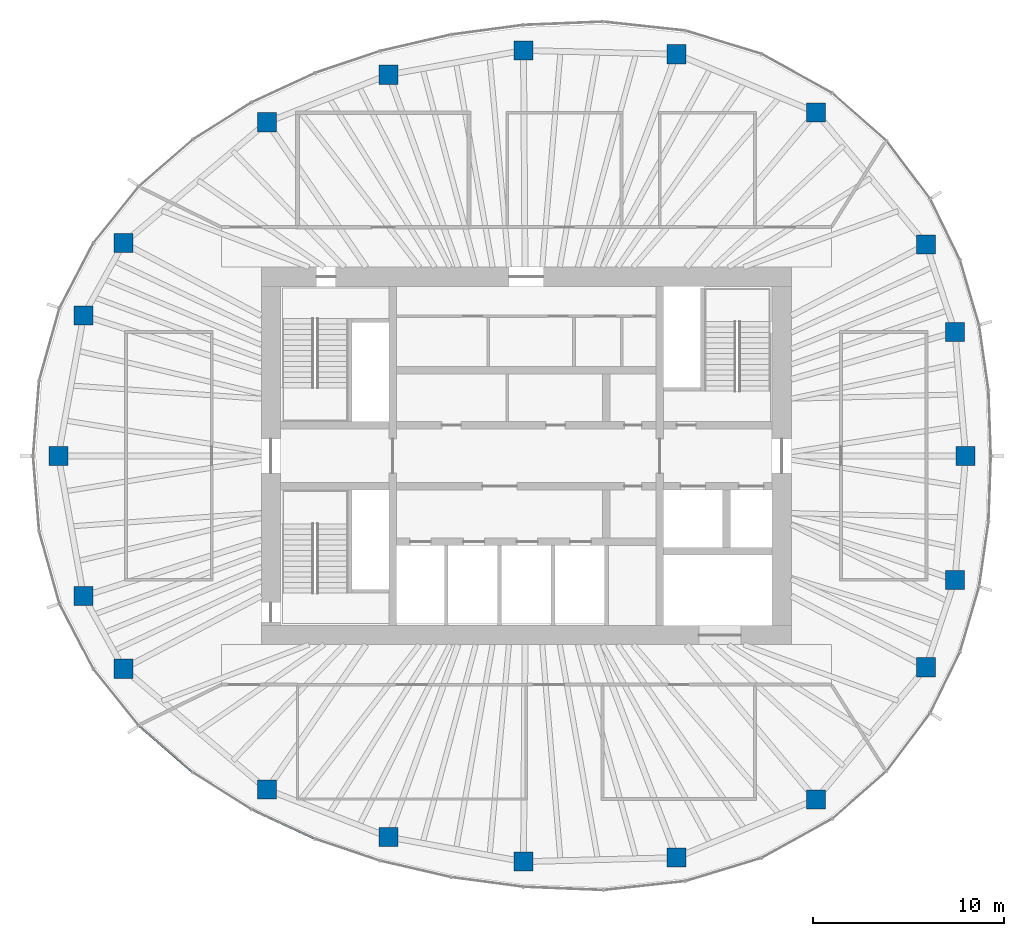
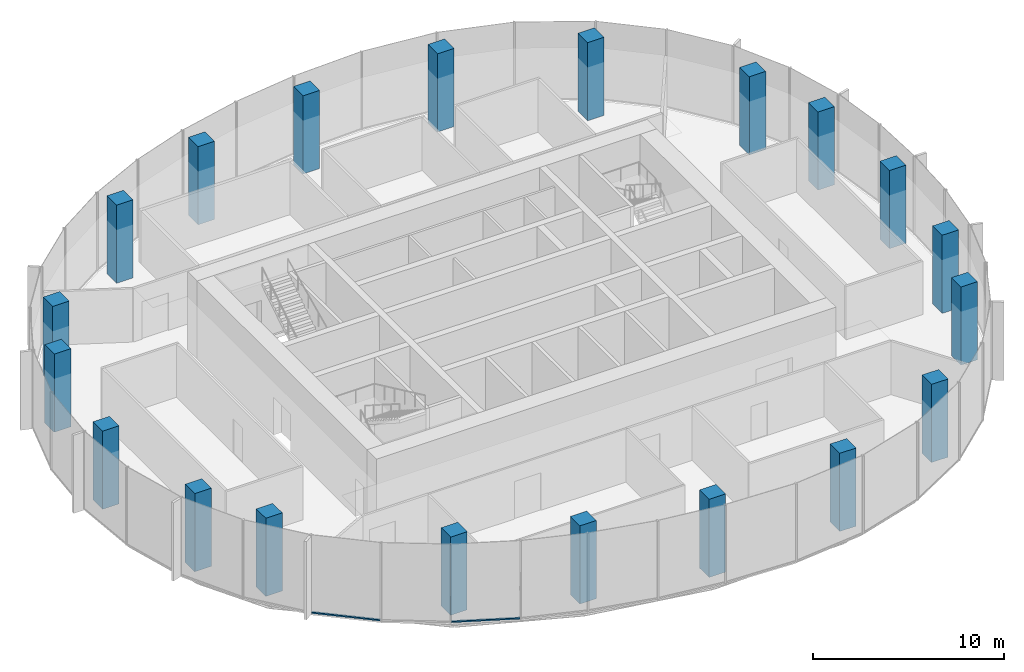
# One storey, part 1 of 11: 20 columns, 2 members, 2 elements without a shape of their own.
"""IFC4 building model written with IfcOpenShell, lengths in metres."""

from ifc_helpers import new_model, si_unit, direction, frame, origin, origin_2d, place, context, subcontext, project, spatial, rectangle, extrude, material, material_profile, profile_set, type_object, element, aggregate, save


model = new_model("IFC4")

# Units and contexts
model_context = context("Model", 3, precision=1e-05, world=origin(), true_north=direction((0.0, 1.0)))
body_context = subcontext(model_context, "Body", "Model", "MODEL_VIEW")
ifc_project = project(units=[si_unit("LENGTHUNIT", "METRE"), si_unit("AREAUNIT", "SQUARE_METRE"), si_unit("VOLUMEUNIT", "CUBIC_METRE"), si_unit("PLANEANGLEUNIT", "RADIAN"), si_unit("MASSUNIT", "GRAM", prefix="KILO")], contexts=[model_context])

# Site, building, storey
site_placement = place(None, origin())
site = spatial("IfcSite", under=ifc_project, at=site_placement, CompositionType="ELEMENT")
building_placement = place(site_placement, origin())
building = spatial("IfcBuilding", under=site, at=building_placement, Name="Ghaith Harvest Tower", CompositionType="ELEMENT")
storey_placement = place(building_placement, frame((0.0, 0.0, 334.199951171875)))
storey = spatial("IfcBuildingStorey", under=building, at=storey_placement, Name="L75", CompositionType="ELEMENT", Elevation=334.199951171875)

# Columns
ifc_material_1 = material(Name="Concrete C50/60", Category="concrete")
ifc_material_profile_1 = material_profile(ifc_material_1, rectangle(XDim=1.0, YDim=1.0, at=origin_2d()), Name="RC1000X1000")
ifc_profile_set_1 = profile_set([ifc_material_profile_1], Name="Concrete C50/60")
column_type = type_object("IfcColumnType", Name="TC8 RC1000X1000", PredefinedType="COLUMN", material=ifc_profile_set_1)
for number, where, z_axis, x_axis, name in (
    (1, (23.050048828125, 0.0, 0.0), (0.0, 0.0, 1.0), (1.0, 0.0, 0.0), "Perimeter column C01"),
    (2, (22.485107421875, 6.4990234375, 0.0), (0.0, 0.0, 1.0), (1.0, 0.0, 0.0), "Perimeter column C02"),
    (3, (20.97705078125, 11.087890625, 0.0), (0.0, 0.0, 1.0), (1.0, 0.0, 0.0), "Perimeter column C03"),
    (4, (15.197998046875, 18.02294921875, 0.0), (0.0, 0.0, 1.0), (1.0, 0.0, 0.0), "Perimeter column C04"),
    (5, (7.8779296875, 21.072021484375, 0.0), (0.0, 0.0, 1.0), (1.0, 0.0, 0.0), "Perimeter column C05"),
    (6, (-0.14599609375, 21.27099609375, 0.0), (0.0, 0.0, 1.0), (1.0, 0.0, 0.0), "Perimeter column C06"),
    (7, (-7.221923828125, 19.9970703125, 0.0), (0.0, 0.0, 1.0), (1.0, 0.0, 0.0), "Perimeter column C07"),
    (8, (-13.594970703125, 17.5048828125, 0.0), (0.0, 0.0, 1.0), (1.0, 0.0, 0.0), "Perimeter column C08"),
    (9, (-21.125, 11.166015625, 0.0), (0.0, 0.0, 1.0), (1.0, 0.0, 0.0), "Perimeter column C09"),
    (10, (-23.22412109375, 7.360107421875, 0.0), (0.0, 0.0, 1.0), (1.0, 0.0, 0.0), "Perimeter column C10"),
    (11, (-24.550048828125, 0.0, 0.0), (0.0, 0.0, 1.0), (1.0, 0.0, 0.0), "Perimeter column C11"),
    (12, (-23.22412109375, -7.360107421875, 0.0), (0.0, 0.0, 1.0), (1.0, 0.0, 0.0), "Perimeter column C12"),
    (13, (-21.125, -11.166015625, 0.0), (0.0, 0.0, 1.0), (1.0, 0.0, 0.0), "Perimeter column C13"),
    (14, (-13.594970703125, -17.5048828125, 0.0), (0.0, 0.0, 1.0), (1.0, 0.0, 0.0), "Perimeter column C14"),
    (15, (-7.221923828125, -19.9970703125, 0.0), (0.0, 0.0, 1.0), (1.0, 0.0, 0.0), "Perimeter column C15"),
    (16, (-0.14599609375, -21.285888671875, 0.0), (0.0, 0.0, 1.0), (1.0, 0.0, 0.0), "Perimeter column C16"),
    (17, (7.8779296875, -21.072021484375, 0.0), (0.0, 0.0, 1.0), (1.0, 0.0, 0.0), "Perimeter column C17"),
    (18, (15.197998046875, -18.02294921875, 0.0), (0.0, 0.0, 1.0), (1.0, 0.0, 0.0), "Perimeter column C18"),
    (19, (20.97705078125, -11.087890625, 0.0), (0.0, 0.0, 1.0), (1.0, 0.0, 0.0), "Perimeter column C19"),
    (20, (22.485107421875, -6.4990234375, 0.0), (0.0, 0.0, 1.0), (1.0, 0.0, 0.0), "Perimeter column C20"),
):
    element("IfcColumn", number, at=place(storey_placement, frame(where, z_axis=z_axis, x_axis=x_axis)), inside=storey, type_object=column_type, Name=name, PredefinedType="COLUMN", context=body_context, shape_type="SweptSolid", body=[
        extrude(rectangle(XDim=1.0, YDim=1.0, at=origin_2d()), origin(), (0.0, 0.0, 1.0), 5.0),
    ])

# Curtain wall, member
ifc_material_2 = material(Name="Black anodised aluminium and fritted glass", Category="aluminium")
curtain_wall_type = type_object("IfcCurtainWallType", Name="CW-T CURTAIN WALL", PredefinedType="NOTDEFINED", material=ifc_material_2)
curtain_wall_1_placement = place(storey_placement, origin())
curtain_wall_1 = element("IfcCurtainWall", 21, at=curtain_wall_1_placement, inside=storey, type_object=curtain_wall_type, Name="Curtain wall CW-T bay 13 L75", PredefinedType="NOTDEFINED")
ifc_material_3 = material(Name="Aluminium, black anodised", Category="aluminium")
ifc_material_profile_2 = material_profile(ifc_material_3, rectangle(XDim=0.1201171875, YDim=0.080078125, at=origin_2d()), Name="CW-T TRANSOM 120x80")
ifc_profile_set_2 = profile_set([ifc_material_profile_2], Name="Aluminium, black anodised")
member_type = type_object("IfcMemberType", Name="CW-T TRANSOM 120x80", PredefinedType="USERDEFINED", material=ifc_profile_set_2)
member_1_placement = place(storey_placement, frame((-20.294189453125, -14.168212890625, 0.0400390625), z_axis=(0.754851889287, -0.65589528527, 0.0), x_axis=(0.65589528527, 0.754851889287, 0.0)))
member_1 = element("IfcMember", 22, at=member_1_placement, type_object=member_type, Name="CW-T transom 1 bay 13 L75", ObjectType="TRANSOM", PredefinedType="USERDEFINED", context=body_context, shape_type="SweptSolid", body=[
    extrude(rectangle(XDim=0.1201171875, YDim=0.080078125, at=origin_2d()), origin(), (0.0, 0.0, 1.0), 3.668701171875),
])
aggregate(curtain_wall_1, [member_1])

curtain_wall_2_placement = place(storey_placement, origin())
curtain_wall_2 = element("IfcCurtainWall", 23, at=curtain_wall_2_placement, inside=storey, type_object=curtain_wall_type, Name="Curtain wall CW-T bay 14 L75", PredefinedType="NOTDEFINED")
member_2_placement = place(storey_placement, frame((-14.36865234375, -18.564697265625, 0.0400390625), z_axis=(0.907472177056, -0.420112184862, 0.0), x_axis=(0.420112184862, 0.907472177056, 0.0)))
member_2 = element("IfcMember", 24, at=member_2_placement, type_object=member_type, Name="CW-T transom 1 bay 14 L75", ObjectType="TRANSOM", PredefinedType="USERDEFINED", context=body_context, shape_type="SweptSolid", body=[
    extrude(rectangle(XDim=0.1201171875, YDim=0.080078125, at=origin_2d()), origin(), (0.0, 0.0, 1.0), 3.597900390625),
])
aggregate(curtain_wall_2, [member_2])

save(model, "model.ifc")
